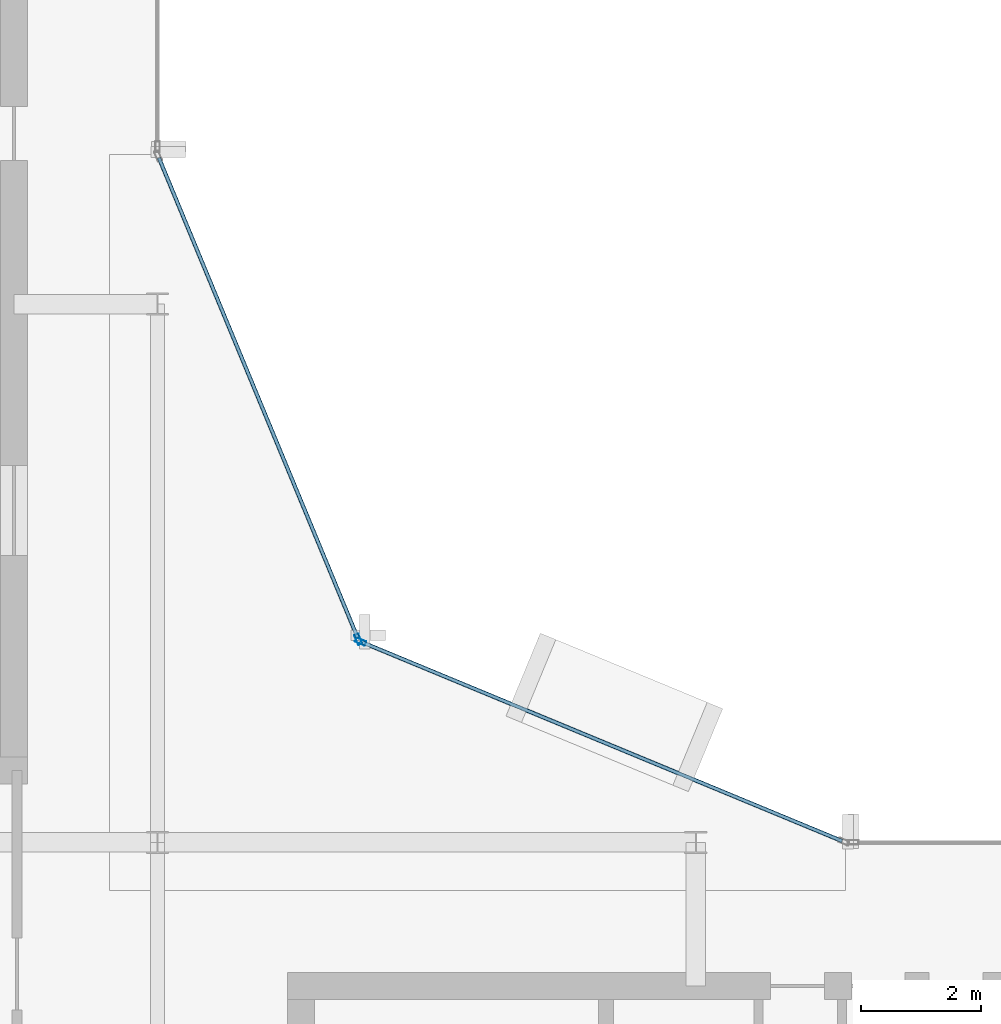
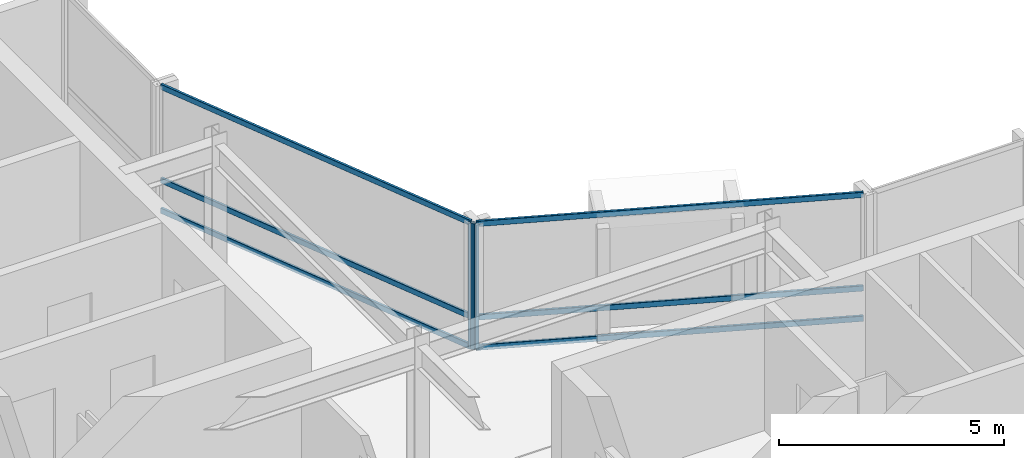
# One storey, part 8 of 19: 8 members, 2 elements without a shape of their own.
"""IFC4 building model written with IfcOpenShell, lengths in metres."""

import ifcopenshell
import ifcopenshell.guid

model = None  # the IFC model being written
_history = None  # IfcOwnerHistory: only IFC2X3 demands one
_inside = {}  # id of a spatial element -> (the spatial element, [elements in it])
_under = {}  # id of a project, library or spatial element -> (it, [spatial elements below it])
_declared = {}  # id of a project -> (the project, [libraries it declares])
_typed = {}  # id of a type object -> (the type object, [elements of that type])
_made_of = {}  # id of a material, layer set ... -> (it, [elements and type objects made of it])


def new_model(schema):
    """Start an empty IFC model of exactly this schema.

    Asked for "IFC4X3", IfcOpenShell would pick the latest addendum, in which some entities
    have other attributes; the version numbers below select the first issue.
    IFC2X3 requires an IfcOwnerHistory on every rooted entity: one is made here for all.
    """
    global model, _history
    if schema == "IFC4X3":
        model = ifcopenshell.file(schema_version=(4, 3, 0, 0))
    else:
        model = ifcopenshell.file(schema=schema)
    _inside.clear()
    _under.clear()
    _declared.clear()
    _typed.clear()
    _made_of.clear()
    _history = None
    if model.schema == "IFC2X3":
        org = make("IfcOrganization", Name="unknown")
        user = make(
            "IfcPersonAndOrganization",
            ThePerson=make("IfcPerson", FamilyName="unknown"),
            TheOrganization=org,
        )
        app = make(
            "IfcApplication",
            ApplicationDeveloper=org,
            Version="unknown",
            ApplicationFullName="unknown",
            ApplicationIdentifier="unknown",
        )
        _history = make(
            "IfcOwnerHistory",
            OwningUser=user,
            OwningApplication=app,
            ChangeAction="ADDED",
            CreationDate=0,
        )
    return model


def make(cls, **values):
    """One entity of the class cls with the attributes given. An attribute that is None is left unset."""
    return model.create_entity(
        cls, **{name: value for name, value in values.items() if value is not None}
    )


def rooted(cls, **values):
    """An entity with a GlobalId (a new one), such as an element, a storey or a relation."""
    return make(cls, GlobalId=ifcopenshell.guid.new(), OwnerHistory=_history, **values)


def si_unit(unit_type, name, prefix=None):
    """IfcSIUnit, for example si_unit("LENGTHUNIT", "METRE", prefix="MILLI")."""
    return make("IfcSIUnit", UnitType=unit_type, Prefix=prefix, Name=name)


def assignment(units):
    """IfcUnitAssignment: the units of a project."""
    return None if units is None else make("IfcUnitAssignment", Units=units)


def point(xyz):
    """IfcCartesianPoint."""
    return None if xyz is None else make("IfcCartesianPoint", Coordinates=xyz)


def direction(xyz):
    """IfcDirection."""
    return None if xyz is None else make("IfcDirection", DirectionRatios=xyz)


def frame(location, z_axis=None, x_axis=None):
    """IfcAxis2Placement3D, a coordinate frame: its origin and axes. An axis left out is left unset."""
    return make(
        "IfcAxis2Placement3D",
        Location=point(location),
        Axis=direction(z_axis),
        RefDirection=direction(x_axis),
    )


def frame_2d(location, x_axis=None):
    """IfcAxis2Placement2D, a coordinate frame in the plane: its origin and x axis."""
    return make(
        "IfcAxis2Placement2D", Location=point(location), RefDirection=direction(x_axis)
    )


def origin():
    """The frame at (0, 0, 0) with its axes left unset."""
    return frame((0.0, 0.0, 0.0))


def origin_2d():
    """The frame at (0, 0) in the plane with its x axis left unset."""
    return frame_2d((0.0, 0.0))


def place(relative_to, where):
    """IfcLocalPlacement: puts the frame where relative to a parent placement (None: the world)."""
    return make(
        "IfcLocalPlacement", PlacementRelTo=relative_to, RelativePlacement=where
    )


def context(
    kind, dimensions, precision=None, world=None, true_north=None, identifier=None
):
    """IfcGeometricRepresentationContext, for example the 3D "Model" context."""
    return make(
        "IfcGeometricRepresentationContext",
        ContextIdentifier=identifier,
        ContextType=kind,
        CoordinateSpaceDimension=dimensions,
        Precision=precision,
        WorldCoordinateSystem=world,
        TrueNorth=true_north,
    )


def subcontext(parent, identifier, kind, view, scale=None):
    """IfcGeometricRepresentationSubContext, for example "Body" below "Model"."""
    return make(
        "IfcGeometricRepresentationSubContext",
        ContextIdentifier=identifier,
        ContextType=kind,
        ParentContext=parent,
        TargetScale=scale,
        TargetView=view,
    )


def project(units=None, contexts=None):
    """IfcProject with its units and contexts."""
    return rooted(
        "IfcProject",
        Name="project",
        RepresentationContexts=contexts,
        UnitsInContext=assignment(units),
    )


def spatial(cls, under=None, at=None, **own):
    """A site, building, storey or space (cls), placed at a placement, below another one or the project."""
    s = rooted(cls, ObjectPlacement=at, **own)
    if under is not None:
        _under.setdefault(under.id(), (under, []))[1].append(s)
    return s


def profile(cls, at=None, kind="AREA", **sizes):
    """A parametric profile (cls). Its sizes go by their IFC names, for example OverallWidth=200.0."""
    return make(cls, ProfileType=kind, Position=at, **sizes)


def hollow_rectangle(**sizes):
    """IfcRectangleHollowProfileDef."""
    return profile("IfcRectangleHollowProfileDef", **sizes)


def extrude(swept, where, along, depth):
    """IfcExtrudedAreaSolid: the profile swept, set in the frame where, extruded along a direction by depth."""
    return make(
        "IfcExtrudedAreaSolid",
        SweptArea=swept,
        Position=where,
        ExtrudedDirection=direction(along),
        Depth=depth,
    )


def shape(context_of_items, identifier, shape_type, items):
    """IfcShapeRepresentation: the items that make up one representation, for example the "Body"."""
    return make(
        "IfcShapeRepresentation",
        ContextOfItems=context_of_items,
        RepresentationIdentifier=identifier,
        RepresentationType=shape_type,
        Items=items,
    )


def material(Name=None, Category=None):
    """IfcMaterial."""
    return make("IfcMaterial", Name=Name, Category=Category)


def layer(
    of_material, thickness, ventilated=None, Name=None, Category=None, Priority=None
):
    """IfcMaterialLayer: one layer of a wall or slab, of a material (None: an air gap)."""
    return make(
        "IfcMaterialLayer",
        Material=of_material,
        LayerThickness=thickness,
        IsVentilated=ventilated,
        Name=Name,
        Category=Category,
        Priority=Priority,
    )


def layer_set(layers, Name=None):
    """IfcMaterialLayerSet."""
    return make("IfcMaterialLayerSet", MaterialLayers=layers, LayerSetName=Name)


def material_profile(
    of_material, cross_section, Name=None, Category=None, Priority=None
):
    """IfcMaterialProfile: a cross section and its material."""
    return make(
        "IfcMaterialProfile",
        Name=Name,
        Material=of_material,
        Profile=cross_section,
        Priority=Priority,
        Category=Category,
    )


def profile_set(profiles, Name=None, composite=None):
    """IfcMaterialProfileSet."""
    return make(
        "IfcMaterialProfileSet",
        Name=Name,
        MaterialProfiles=profiles,
        CompositeProfile=composite,
    )


def made_of(thing, what):
    """Note that an element or type object is made of a material, layer set ...; save() writes the relation."""
    if what is not None:
        _made_of.setdefault(what.id(), (what, []))[1].append(thing)
    return thing


def type_object(cls, material=None, **own):
    """A type object (cls), such as IfcWallType, which elements share."""
    return made_of(rooted(cls, **own), material)


def element(
    cls,
    number,
    at=None,
    inside=None,
    cuts=None,
    type_object=None,
    material=None,
    context=None,
    identifier="Body",
    shape_type=None,
    held_by="IfcProductDefinitionShape",
    body=None,
    shapes=None,
    **own,
):
    """One element of the class cls, such as IfcWall. Its Tag is "e" and its number.

    at: its placement. inside: the storey or other place that contains it. cuts: it is an
    opening in that element (IfcRelVoidsElement). A single representation is given by context,
    identifier, shape_type and body (its items); several are given by shapes. held_by: the class
    of the entity that holds the representations. save() writes the other relations.
    """
    e = rooted(cls, Tag="e%d" % number, ObjectPlacement=at, **own)
    if body is not None:
        shapes = [shape(context, identifier, shape_type, body)]
    if shapes is not None:
        e.Representation = make(held_by, Representations=shapes)
    if inside is not None:
        _inside.setdefault(inside.id(), (inside, []))[1].append(e)
    if cuts is not None:
        rooted(
            "IfcRelVoidsElement", RelatingBuildingElement=cuts, RelatedOpeningElement=e
        )
    if type_object is not None:
        _typed.setdefault(type_object.id(), (type_object, []))[1].append(e)
    return made_of(e, material)


def aggregate(whole, parts):
    """IfcRelAggregates: a whole, such as a stair, and the parts it consists of."""
    return rooted("IfcRelAggregates", RelatingObject=whole, RelatedObjects=parts)


def save(model, path):
    """Write the relations noted so far, then the file.

    IfcRelAggregates (storeys below a building ...), IfcRelContainedInSpatialStructure (elements
    in a storey), IfcRelDefinesByType, IfcRelAssociatesMaterial and IfcRelDeclares: one each for
    every whole, place, type object, material and project.
    """
    for whole, parts in _under.values():
        aggregate(whole, parts)
    for where, things in _inside.values():
        rooted(
            "IfcRelContainedInSpatialStructure",
            RelatedElements=things,
            RelatingStructure=where,
        )
    for kind, things in _typed.values():
        rooted("IfcRelDefinesByType", RelatedObjects=things, RelatingType=kind)
    for what, things in _made_of.values():
        rooted("IfcRelAssociatesMaterial", RelatedObjects=things, RelatingMaterial=what)
    for by, libraries in _declared.values():
        rooted("IfcRelDeclares", RelatingContext=by, RelatedDefinitions=libraries)
    model.write(path)


model = new_model("IFC4")

# Units and contexts
model_context = context("Model", 3, precision=1e-05, world=origin(), true_north=direction((0.0, 1.0)))
body_context = subcontext(model_context, "Body", "Model", "MODEL_VIEW")
ifc_project = project(units=[si_unit("LENGTHUNIT", "METRE"), si_unit("AREAUNIT", "SQUARE_METRE"), si_unit("VOLUMEUNIT", "CUBIC_METRE"), si_unit("PLANEANGLEUNIT", "RADIAN"), si_unit("MASSUNIT", "GRAM", prefix="KILO")], contexts=[model_context])

# Site, building, storey
site_placement = place(None, origin())
site = spatial("IfcSite", under=ifc_project, at=site_placement, CompositionType="ELEMENT")
building_placement = place(site_placement, origin())
building = spatial("IfcBuilding", under=site, at=building_placement, Name="Solvaryn Broadcast Tower", CompositionType="ELEMENT")
storey_placement = place(building_placement, frame((0.0, 0.0, 290.0)))
storey = spatial("IfcBuildingStorey", under=building, at=storey_placement, Name="L73", CompositionType="ELEMENT", Elevation=290.0)

# Curtain wall, member
ifc_material_1 = material(Name="Aluminium and Terracotta Unitised Curtain Wall", Category="masonry")
ifc_layer = layer(ifc_material_1, 0.199951171875)
ifc_layer_set = layer_set([ifc_layer], Name="CW-SYS2-LOWMID")
curtain_wall_type = type_object("IfcCurtainWallType", Name="CW-SYS2-LOWMID", PredefinedType="NOTDEFINED", material=ifc_layer_set)
curtain_wall_1_placement = place(storey_placement, origin())
curtain_wall_1 = element("IfcCurtainWall", 1, at=curtain_wall_1_placement, inside=storey, type_object=curtain_wall_type, Name="L73 Curtain Wall CN1", PredefinedType="NOTDEFINED")
ifc_material_2 = material(Name="Anodised Aluminium 6063-T6", Category="aluminium")
ifc_material_profile_1 = material_profile(ifc_material_2, hollow_rectangle(XDim=0.074951171875, YDim=0.179931640625, WallThickness=0.00390625, InnerFilletRadius=0.00390625, OuterFilletRadius=0.008056640625, at=origin_2d()))
ifc_profile_set_1 = profile_set([ifc_material_profile_1], Name="Anodised Aluminium 6063-T6")
member_type_1 = type_object("IfcMemberType", Name="CW-MUL-180", PredefinedType="MULLION", material=ifc_profile_set_1)
member_1_placement = place(storey_placement, frame((30.395751953125, 30.3564453125, 0.0), z_axis=(0.0, 0.0, 1.0), x_axis=(-0.382646127145, -0.923894983957, 0.0)))
member_1 = element("IfcMember", 2, at=member_1_placement, type_object=member_type_1, Name="CWS2 mullion 2", PredefinedType="MULLION", context=body_context, shape_type="SweptSolid", body=[
    extrude(hollow_rectangle(XDim=0.074951171875, YDim=0.179931640625, WallThickness=0.00390625, InnerFilletRadius=0.00390625, OuterFilletRadius=0.008056640625, at=origin_2d()), origin(), (0.0, 0.0, 1.0), 3.419921875),
])

curtain_wall_2_placement = place(storey_placement, origin())
curtain_wall_2 = element("IfcCurtainWall", 3, at=curtain_wall_2_placement, inside=storey, type_object=curtain_wall_type, Name="L73 Curtain Wall CN2", PredefinedType="NOTDEFINED")
member_2_placement = place(storey_placement, frame((30.3564453125, 30.395751953125, 0.0), z_axis=(0.0, 0.0, 1.0), x_axis=(-0.923894983957, -0.382646127145, 0.0)))
member_2 = element("IfcMember", 4, at=member_2_placement, type_object=member_type_1, Name="CWS2 mullion 1", PredefinedType="MULLION", context=body_context, shape_type="SweptSolid", body=[
    extrude(hollow_rectangle(XDim=0.074951171875, YDim=0.179931640625, WallThickness=0.00390625, InnerFilletRadius=0.00390625, OuterFilletRadius=0.008056640625, at=origin_2d()), origin(), (0.0, 0.0, 1.0), 3.419921875),
])

# Member
ifc_material_3 = material(Name="Anodised Aluminium 6063-T6", Category="aluminium")
ifc_material_profile_2 = material_profile(ifc_material_3, hollow_rectangle(XDim=0.06494140625, YDim=0.14990234375, WallThickness=0.00390625, InnerFilletRadius=0.00390625, OuterFilletRadius=0.008056640625, at=origin_2d()))
ifc_profile_set_2 = profile_set([ifc_material_profile_2], Name="Anodised Aluminium 6063-T6")
member_type_2 = type_object("IfcMemberType", Name="CW-TRN-150", PredefinedType="USERDEFINED", material=ifc_profile_set_2)
member_3_placement = place(storey_placement, frame((38.444580078125, 27.02294921875, 0.030029296875), z_axis=(-0.923899282177, 0.382635748975, 0.0), x_axis=(-0.382635748975, -0.923899282177, 0.0)))
member_3 = element("IfcMember", 5, at=member_3_placement, type_object=member_type_2, Name="CWS2 transom 1.1", ObjectType="TRANSOM", PredefinedType="USERDEFINED", context=body_context, shape_type="SweptSolid", body=[
    extrude(hollow_rectangle(XDim=0.06494140625, YDim=0.14990234375, WallThickness=0.00390625, InnerFilletRadius=0.00390625, OuterFilletRadius=0.008056640625, at=origin_2d()), origin(), (0.0, 0.0, 1.0), 8.681884765625),
])

member_4_placement = place(storey_placement, frame((38.444580078125, 27.02294921875, 0.85009765625), z_axis=(-0.923899282177, 0.382635748975, 0.0), x_axis=(-0.382635748975, -0.923899282177, 0.0)))
member_4 = element("IfcMember", 6, at=member_4_placement, type_object=member_type_2, Name="CWS2 transom 1.2", ObjectType="TRANSOM", PredefinedType="USERDEFINED", context=body_context, shape_type="SweptSolid", body=[
    extrude(hollow_rectangle(XDim=0.06494140625, YDim=0.14990234375, WallThickness=0.00390625, InnerFilletRadius=0.00390625, OuterFilletRadius=0.008056640625, at=origin_2d()), origin(), (0.0, 0.0, 1.0), 8.681884765625),
])

member_5_placement = place(storey_placement, frame((38.444580078125, 27.02294921875, 3.389892578125), z_axis=(-0.923899282177, 0.382635748975, 0.0), x_axis=(-0.382635748975, -0.923899282177, 0.0)))
member_5 = element("IfcMember", 7, at=member_5_placement, type_object=member_type_2, Name="CWS2 transom 1.3", ObjectType="TRANSOM", PredefinedType="USERDEFINED", context=body_context, shape_type="SweptSolid", body=[
    extrude(hollow_rectangle(XDim=0.06494140625, YDim=0.14990234375, WallThickness=0.00390625, InnerFilletRadius=0.00390625, OuterFilletRadius=0.008056640625, at=origin_2d()), origin(), (0.0, 0.0, 1.0), 8.681884765625),
])

aggregate(curtain_wall_1, [member_1, member_3, member_4, member_5])

member_6_placement = place(storey_placement, frame((30.344970703125, 30.42333984375, 0.030029296875), z_axis=(-0.382635748975, 0.923899282177, 0.0), x_axis=(-0.923899282177, -0.382635748975, 0.0)))
member_6 = element("IfcMember", 8, at=member_6_placement, type_object=member_type_2, Name="CWS2 transom 1.1", ObjectType="TRANSOM", PredefinedType="USERDEFINED", context=body_context, shape_type="SweptSolid", body=[
    extrude(hollow_rectangle(XDim=0.06494140625, YDim=0.14990234375, WallThickness=0.00390625, InnerFilletRadius=0.00390625, OuterFilletRadius=0.008056640625, at=origin_2d()), origin(), (0.0, 0.0, 1.0), 8.681884765625),
])

member_7_placement = place(storey_placement, frame((30.344970703125, 30.42333984375, 0.85009765625), z_axis=(-0.382635748975, 0.923899282177, 0.0), x_axis=(-0.923899282177, -0.382635748975, 0.0)))
member_7 = element("IfcMember", 9, at=member_7_placement, type_object=member_type_2, Name="CWS2 transom 1.2", ObjectType="TRANSOM", PredefinedType="USERDEFINED", context=body_context, shape_type="SweptSolid", body=[
    extrude(hollow_rectangle(XDim=0.06494140625, YDim=0.14990234375, WallThickness=0.00390625, InnerFilletRadius=0.00390625, OuterFilletRadius=0.008056640625, at=origin_2d()), origin(), (0.0, 0.0, 1.0), 8.681884765625),
])

member_8_placement = place(storey_placement, frame((30.344970703125, 30.42333984375, 3.389892578125), z_axis=(-0.382635748975, 0.923899282177, 0.0), x_axis=(-0.923899282177, -0.382635748975, 0.0)))
member_8 = element("IfcMember", 10, at=member_8_placement, type_object=member_type_2, Name="CWS2 transom 1.3", ObjectType="TRANSOM", PredefinedType="USERDEFINED", context=body_context, shape_type="SweptSolid", body=[
    extrude(hollow_rectangle(XDim=0.06494140625, YDim=0.14990234375, WallThickness=0.00390625, InnerFilletRadius=0.00390625, OuterFilletRadius=0.008056640625, at=origin_2d()), origin(), (0.0, 0.0, 1.0), 8.681884765625),
])

aggregate(curtain_wall_2, [member_2, member_6, member_7, member_8])

save(model, "model.ifc")
